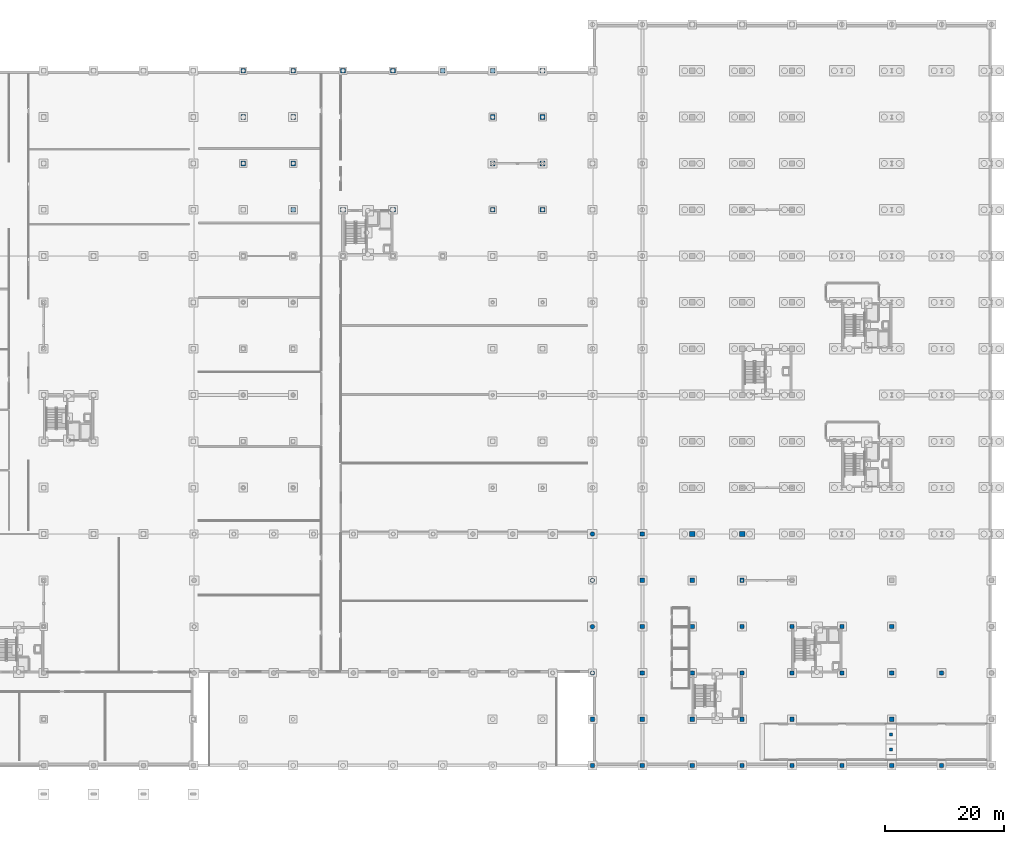
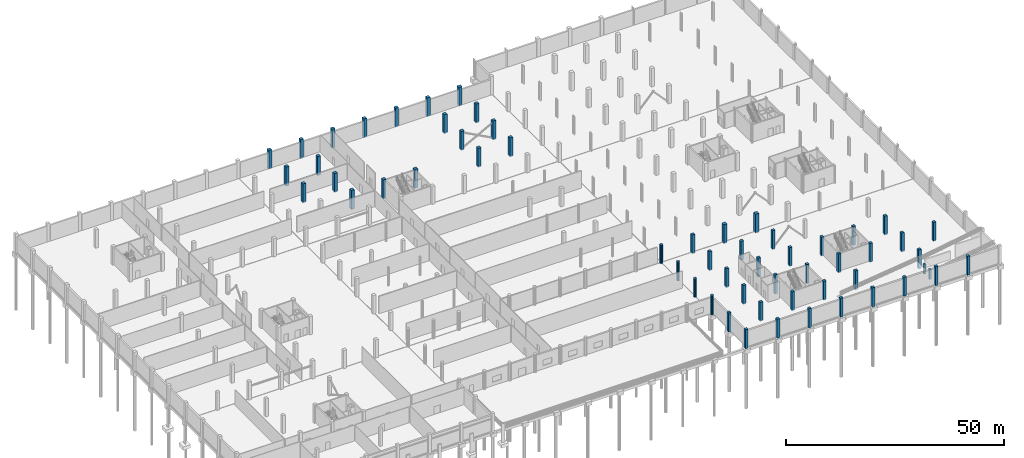
# One storey, part 15 of 48: 59 columns.
"""IFC4 building model written with IfcOpenShell, lengths in metres."""

import ifcopenshell
import ifcopenshell.guid

model = None  # the IFC model being written
_history = None  # IfcOwnerHistory: only IFC2X3 demands one
_inside = {}  # id of a spatial element -> (the spatial element, [elements in it])
_under = {}  # id of a project, library or spatial element -> (it, [spatial elements below it])
_declared = {}  # id of a project -> (the project, [libraries it declares])
_typed = {}  # id of a type object -> (the type object, [elements of that type])
_made_of = {}  # id of a material, layer set ... -> (it, [elements and type objects made of it])


def new_model(schema):
    """Start an empty IFC model of exactly this schema.

    Asked for "IFC4X3", IfcOpenShell would pick the latest addendum, in which some entities
    have other attributes; the version numbers below select the first issue.
    IFC2X3 requires an IfcOwnerHistory on every rooted entity: one is made here for all.
    """
    global model, _history
    if schema == "IFC4X3":
        model = ifcopenshell.file(schema_version=(4, 3, 0, 0))
    else:
        model = ifcopenshell.file(schema=schema)
    _inside.clear()
    _under.clear()
    _declared.clear()
    _typed.clear()
    _made_of.clear()
    _history = None
    if model.schema == "IFC2X3":
        org = make("IfcOrganization", Name="unknown")
        user = make(
            "IfcPersonAndOrganization",
            ThePerson=make("IfcPerson", FamilyName="unknown"),
            TheOrganization=org,
        )
        app = make(
            "IfcApplication",
            ApplicationDeveloper=org,
            Version="unknown",
            ApplicationFullName="unknown",
            ApplicationIdentifier="unknown",
        )
        _history = make(
            "IfcOwnerHistory",
            OwningUser=user,
            OwningApplication=app,
            ChangeAction="ADDED",
            CreationDate=0,
        )
    return model


def make(cls, **values):
    """One entity of the class cls with the attributes given. An attribute that is None is left unset."""
    return model.create_entity(
        cls, **{name: value for name, value in values.items() if value is not None}
    )


def rooted(cls, **values):
    """An entity with a GlobalId (a new one), such as an element, a storey or a relation."""
    return make(cls, GlobalId=ifcopenshell.guid.new(), OwnerHistory=_history, **values)


def si_unit(unit_type, name, prefix=None):
    """IfcSIUnit, for example si_unit("LENGTHUNIT", "METRE", prefix="MILLI")."""
    return make("IfcSIUnit", UnitType=unit_type, Prefix=prefix, Name=name)


def assignment(units):
    """IfcUnitAssignment: the units of a project."""
    return None if units is None else make("IfcUnitAssignment", Units=units)


def point(xyz):
    """IfcCartesianPoint."""
    return None if xyz is None else make("IfcCartesianPoint", Coordinates=xyz)


def direction(xyz):
    """IfcDirection."""
    return None if xyz is None else make("IfcDirection", DirectionRatios=xyz)


def frame(location, z_axis=None, x_axis=None):
    """IfcAxis2Placement3D, a coordinate frame: its origin and axes. An axis left out is left unset."""
    return make(
        "IfcAxis2Placement3D",
        Location=point(location),
        Axis=direction(z_axis),
        RefDirection=direction(x_axis),
    )


def frame_2d(location, x_axis=None):
    """IfcAxis2Placement2D, a coordinate frame in the plane: its origin and x axis."""
    return make(
        "IfcAxis2Placement2D", Location=point(location), RefDirection=direction(x_axis)
    )


def origin():
    """The frame at (0, 0, 0) with its axes left unset."""
    return frame((0.0, 0.0, 0.0))


def origin_2d():
    """The frame at (0, 0) in the plane with its x axis left unset."""
    return frame_2d((0.0, 0.0))


def place(relative_to, where):
    """IfcLocalPlacement: puts the frame where relative to a parent placement (None: the world)."""
    return make(
        "IfcLocalPlacement", PlacementRelTo=relative_to, RelativePlacement=where
    )


def context(
    kind, dimensions, precision=None, world=None, true_north=None, identifier=None
):
    """IfcGeometricRepresentationContext, for example the 3D "Model" context."""
    return make(
        "IfcGeometricRepresentationContext",
        ContextIdentifier=identifier,
        ContextType=kind,
        CoordinateSpaceDimension=dimensions,
        Precision=precision,
        WorldCoordinateSystem=world,
        TrueNorth=true_north,
    )


def subcontext(parent, identifier, kind, view, scale=None):
    """IfcGeometricRepresentationSubContext, for example "Body" below "Model"."""
    return make(
        "IfcGeometricRepresentationSubContext",
        ContextIdentifier=identifier,
        ContextType=kind,
        ParentContext=parent,
        TargetScale=scale,
        TargetView=view,
    )


def project(units=None, contexts=None):
    """IfcProject with its units and contexts."""
    return rooted(
        "IfcProject",
        Name="project",
        RepresentationContexts=contexts,
        UnitsInContext=assignment(units),
    )


def spatial(cls, under=None, at=None, **own):
    """A site, building, storey or space (cls), placed at a placement, below another one or the project."""
    s = rooted(cls, ObjectPlacement=at, **own)
    if under is not None:
        _under.setdefault(under.id(), (under, []))[1].append(s)
    return s


def profile(cls, at=None, kind="AREA", **sizes):
    """A parametric profile (cls). Its sizes go by their IFC names, for example OverallWidth=200.0."""
    return make(cls, ProfileType=kind, Position=at, **sizes)


def rectangle(**sizes):
    """IfcRectangleProfileDef."""
    return profile("IfcRectangleProfileDef", **sizes)


def circle(**sizes):
    """IfcCircleProfileDef."""
    return profile("IfcCircleProfileDef", **sizes)


def extrude(swept, where, along, depth):
    """IfcExtrudedAreaSolid: the profile swept, set in the frame where, extruded along a direction by depth."""
    return make(
        "IfcExtrudedAreaSolid",
        SweptArea=swept,
        Position=where,
        ExtrudedDirection=direction(along),
        Depth=depth,
    )


def shape(context_of_items, identifier, shape_type, items):
    """IfcShapeRepresentation: the items that make up one representation, for example the "Body"."""
    return make(
        "IfcShapeRepresentation",
        ContextOfItems=context_of_items,
        RepresentationIdentifier=identifier,
        RepresentationType=shape_type,
        Items=items,
    )


def material(Name=None, Category=None):
    """IfcMaterial."""
    return make("IfcMaterial", Name=Name, Category=Category)


def material_profile(
    of_material, cross_section, Name=None, Category=None, Priority=None
):
    """IfcMaterialProfile: a cross section and its material."""
    return make(
        "IfcMaterialProfile",
        Name=Name,
        Material=of_material,
        Profile=cross_section,
        Priority=Priority,
        Category=Category,
    )


def profile_set(profiles, Name=None, composite=None):
    """IfcMaterialProfileSet."""
    return make(
        "IfcMaterialProfileSet",
        Name=Name,
        MaterialProfiles=profiles,
        CompositeProfile=composite,
    )


def made_of(thing, what):
    """Note that an element or type object is made of a material, layer set ...; save() writes the relation."""
    if what is not None:
        _made_of.setdefault(what.id(), (what, []))[1].append(thing)
    return thing


def type_object(cls, material=None, **own):
    """A type object (cls), such as IfcWallType, which elements share."""
    return made_of(rooted(cls, **own), material)


def element(
    cls,
    number,
    at=None,
    inside=None,
    cuts=None,
    type_object=None,
    material=None,
    context=None,
    identifier="Body",
    shape_type=None,
    held_by="IfcProductDefinitionShape",
    body=None,
    shapes=None,
    **own,
):
    """One element of the class cls, such as IfcWall. Its Tag is "e" and its number.

    at: its placement. inside: the storey or other place that contains it. cuts: it is an
    opening in that element (IfcRelVoidsElement). A single representation is given by context,
    identifier, shape_type and body (its items); several are given by shapes. held_by: the class
    of the entity that holds the representations. save() writes the other relations.
    """
    e = rooted(cls, Tag="e%d" % number, ObjectPlacement=at, **own)
    if body is not None:
        shapes = [shape(context, identifier, shape_type, body)]
    if shapes is not None:
        e.Representation = make(held_by, Representations=shapes)
    if inside is not None:
        _inside.setdefault(inside.id(), (inside, []))[1].append(e)
    if cuts is not None:
        rooted(
            "IfcRelVoidsElement", RelatingBuildingElement=cuts, RelatedOpeningElement=e
        )
    if type_object is not None:
        _typed.setdefault(type_object.id(), (type_object, []))[1].append(e)
    return made_of(e, material)


def aggregate(whole, parts):
    """IfcRelAggregates: a whole, such as a stair, and the parts it consists of."""
    return rooted("IfcRelAggregates", RelatingObject=whole, RelatedObjects=parts)


def save(model, path):
    """Write the relations noted so far, then the file.

    IfcRelAggregates (storeys below a building ...), IfcRelContainedInSpatialStructure (elements
    in a storey), IfcRelDefinesByType, IfcRelAssociatesMaterial and IfcRelDeclares: one each for
    every whole, place, type object, material and project.
    """
    for whole, parts in _under.values():
        aggregate(whole, parts)
    for where, things in _inside.values():
        rooted(
            "IfcRelContainedInSpatialStructure",
            RelatedElements=things,
            RelatingStructure=where,
        )
    for kind, things in _typed.values():
        rooted("IfcRelDefinesByType", RelatedObjects=things, RelatingType=kind)
    for what, things in _made_of.values():
        rooted("IfcRelAssociatesMaterial", RelatedObjects=things, RelatingMaterial=what)
    for by, libraries in _declared.values():
        rooted("IfcRelDeclares", RelatingContext=by, RelatedDefinitions=libraries)
    model.write(path)


model = new_model("IFC4")

# Units and contexts
model_context = context("Model", 3, precision=1e-05, world=origin(), true_north=direction((0.0, 1.0)))
body_context = subcontext(model_context, "Body", "Model", "MODEL_VIEW")
ifc_project = project(units=[si_unit("LENGTHUNIT", "METRE"), si_unit("AREAUNIT", "SQUARE_METRE"), si_unit("VOLUMEUNIT", "CUBIC_METRE"), si_unit("PLANEANGLEUNIT", "RADIAN"), si_unit("MASSUNIT", "GRAM", prefix="KILO")], contexts=[model_context])

# Site, building, storey
site_placement = place(None, origin())
site = spatial("IfcSite", under=ifc_project, at=site_placement, CompositionType="ELEMENT")
building_placement = place(site_placement, origin())
building = spatial("IfcBuilding", under=site, at=building_placement, Name="Nabrawat Pavilion Hospital", CompositionType="ELEMENT")
storey_placement = place(building_placement, frame((0.0, 0.0, -5.10009765625)))
storey = spatial("IfcBuildingStorey", under=building, at=storey_placement, Name="B1", CompositionType="ELEMENT", Elevation=-5.10009765625)

# Columns
ifc_material = material(Name="Concrete C40/50", Category="concrete")
ifc_material_profile_1 = material_profile(ifc_material, rectangle(XDim=0.89990234375, YDim=0.89990234375, at=origin_2d()), Name="RC 900x900")
ifc_profile_set_1 = profile_set([ifc_material_profile_1], Name="Concrete C40/50")
column_type_1 = type_object("IfcColumnType", Name="Lower Ward RC Column 900x900", PredefinedType="COLUMN", material=ifc_profile_set_1)
for number, where, z_axis, x_axis, name in (
    (1, (142.800048828125, 39.0, -0.219970703125), (0.0, 0.0, 1.0), (1.0, 0.0, 0.0), "B1 Structural Column G-18-F1"),
    (2, (151.199951171875, 39.0, -0.219970703125), (0.0, 0.0, 1.0), (1.0, 0.0, 0.0), "B1 Structural Column G-19-F1"),
):
    element("IfcColumn", number, at=place(storey_placement, frame(where, z_axis=z_axis, x_axis=x_axis)), inside=storey, type_object=column_type_1, Name=name, PredefinedType="COLUMN", context=body_context, shape_type="SweptSolid", body=[
        extrude(rectangle(XDim=0.89990234375, YDim=0.89990234375, at=origin_2d()), origin(), (0.0, 0.0, 1.0), 5.320068359375),
    ])
ifc_material_profile_2 = material_profile(ifc_material, rectangle(XDim=0.699951171875, YDim=0.699951171875, at=origin_2d()), Name="RC 700x700")
ifc_profile_set_2 = profile_set([ifc_material_profile_2], Name="Concrete C40/50")
column_type_2 = type_object("IfcColumnType", Name="Mid-Tier Ward RC Column 700x700", PredefinedType="COLUMN", material=ifc_profile_set_2)
for number, where, z_axis, x_axis, name in (
    (3, (126.0, 0.0, -0.219970703125), (0.0, 0.0, 1.0), (1.0, 0.0, 0.0), "B1 Structural Column G-16A-A"),
    (4, (126.0, 7.800048828125, -0.219970703125), (0.0, 0.0, 1.0), (1.0, 0.0, 0.0), "B1 Structural Column G-16A-B"),
    (5, (134.39990234375, 0.0, -0.219970703125), (0.0, 0.0, 1.0), (1.0, 0.0, 0.0), "B1 Structural Column G-17-A"),
    (6, (134.39990234375, 7.800048828125, -0.219970703125), (0.0, 0.0, 1.0), (1.0, 0.0, 0.0), "B1 Structural Column G-17-B"),
    (7, (134.39990234375, 15.60009765625, -0.219970703125), (0.0, 0.0, 1.0), (1.0, 0.0, 0.0), "B1 Structural Column G-17-C"),
    (8, (134.39990234375, 23.39990234375, -0.219970703125), (0.0, 0.0, 1.0), (1.0, 0.0, 0.0), "B1 Structural Column G-17-D"),
    (9, (134.39990234375, 31.199951171875, -0.219970703125), (0.0, 0.0, 1.0), (1.0, 0.0, 0.0), "B1 Structural Column G-17-E"),
    (10, (134.39990234375, 39.0, -0.219970703125), (0.0, 0.0, 1.0), (1.0, 0.0, 0.0), "B1 Structural Column G-17-F1"),
    (11, (142.800048828125, 0.0, -0.219970703125), (0.0, 0.0, 1.0), (1.0, 0.0, 0.0), "B1 Structural Column G-18-A"),
    (12, (142.800048828125, 7.800048828125, -0.219970703125), (0.0, 0.0, 1.0), (1.0, 0.0, 0.0), "B1 Structural Column G-18-B"),
    (13, (142.800048828125, 15.60009765625, -0.219970703125), (0.0, 0.0, 1.0), (1.0, 0.0, 0.0), "B1 Structural Column G-18-C"),
    (14, (142.800048828125, 23.39990234375, -0.219970703125), (0.0, 0.0, 1.0), (1.0, 0.0, 0.0), "B1 Structural Column G-18-D"),
    (15, (142.800048828125, 31.199951171875, -0.219970703125), (0.0, 0.0, 1.0), (1.0, 0.0, 0.0), "B1 Structural Column G-18-E"),
    (16, (151.199951171875, 0.0, -0.219970703125), (0.0, 0.0, 1.0), (1.0, 0.0, 0.0), "B1 Structural Column G-19-A"),
    (17, (151.199951171875, 7.800048828125, -0.219970703125), (0.0, 0.0, 1.0), (1.0, 0.0, 0.0), "B1 Structural Column G-19-B"),
    (18, (151.199951171875, 15.60009765625, -0.219970703125), (0.0, 0.0, 1.0), (1.0, 0.0, 0.0), "B1 Structural Column G-19-C"),
    (19, (151.199951171875, 23.39990234375, -0.219970703125), (0.0, 0.0, 1.0), (1.0, 0.0, 0.0), "B1 Structural Column G-19-D"),
    (20, (151.199951171875, 31.199951171875, -0.219970703125), (0.0, 0.0, 1.0), (1.0, 0.0, 0.0), "B1 Structural Column G-19-E"),
    (21, (159.60009765625, 0.0, -0.219970703125), (0.0, 0.0, 1.0), (1.0, 0.0, 0.0), "B1 Structural Column G-20-A"),
    (22, (159.60009765625, 7.800048828125, -0.219970703125), (0.0, 0.0, 1.0), (1.0, 0.0, 0.0), "B1 Structural Column G-20-B"),
    (23, (159.60009765625, 15.60009765625, -0.219970703125), (0.0, 0.0, 1.0), (1.0, 0.0, 0.0), "B1 Structural Column G-20-C"),
    (24, (159.60009765625, 23.39990234375, -0.219970703125), (0.0, 0.0, 1.0), (1.0, 0.0, 0.0), "B1 Structural Column G-20-D"),
    (25, (168.0, 0.0, -0.219970703125), (0.0, 0.0, 1.0), (1.0, 0.0, 0.0), "B1 Structural Column G-21-A"),
    (26, (168.0, 15.60009765625, -0.219970703125), (0.0, 0.0, 1.0), (1.0, 0.0, 0.0), "B1 Structural Column G-21-C"),
    (27, (168.0, 23.39990234375, -0.219970703125), (0.0, 0.0, 1.0), (1.0, 0.0, 0.0), "B1 Structural Column G-21-D"),
    (28, (176.39990234375, 0.0, -0.219970703125), (0.0, 0.0, 1.0), (1.0, 0.0, 0.0), "B1 Structural Column G-22-A"),
    (29, (176.39990234375, 7.800048828125, -0.219970703125), (0.0, 0.0, 1.0), (1.0, 0.0, 0.0), "B1 Structural Column G-22-B"),
    (30, (176.39990234375, 15.60009765625, -0.219970703125), (0.0, 0.0, 1.0), (1.0, 0.0, 0.0), "B1 Structural Column G-22-C"),
    (31, (176.39990234375, 23.39990234375, -0.219970703125), (0.0, 0.0, 1.0), (1.0, 0.0, 0.0), "B1 Structural Column G-22-D"),
    (32, (184.800048828125, 0.0, -0.219970703125), (0.0, 0.0, 1.0), (1.0, 0.0, 0.0), "B1 Structural Column G-23-A"),
    (33, (184.800048828125, 15.60009765625, -0.219970703125), (0.0, 0.0, 1.0), (1.0, 0.0, 0.0), "B1 Structural Column G-23-C"),
):
    element("IfcColumn", number, at=place(storey_placement, frame(where, z_axis=z_axis, x_axis=x_axis)), inside=storey, type_object=column_type_2, Name=name, PredefinedType="COLUMN", context=body_context, shape_type="SweptSolid", body=[
        extrude(rectangle(XDim=0.699951171875, YDim=0.699951171875, at=origin_2d()), origin(), (0.0, 0.0, 1.0), 5.320068359375),
    ])
ifc_material_profile_3 = material_profile(ifc_material, circle(Radius=0.375, at=origin_2d()), Name="RC D750")
ifc_profile_set_3 = profile_set([ifc_material_profile_3], Name="Concrete C40/50")
column_type_3 = type_object("IfcColumnType", Name="Pavilion Base Composite Column D750", PredefinedType="COLUMN", material=ifc_profile_set_3)
for number, where, z_axis, x_axis, name in (
    (34, (126.0, 23.39990234375, -0.219970703125), (0.0, 0.0, 1.0), (1.0, 0.0, 0.0), "B1 Expressed Pavilion Column MH-E01"),
    (35, (126.0, 31.199951171875, -0.219970703125), (0.0, 0.0, 1.0), (1.0, 0.0, 0.0), "B1 Expressed Pavilion Column MH-E02"),
    (36, (126.0, 39.0, -0.219970703125), (0.0, 0.0, 1.0), (1.0, 0.0, 0.0), "B1 Expressed Pavilion Column MH-N10"),
    (37, (126.0, 15.60009765625, -0.219970703125), (0.0, 0.0, 1.0), (1.0, 0.0, 0.0), "B1 Expressed Pavilion Column MH-S10"),
):
    element("IfcColumn", number, at=place(storey_placement, frame(where, z_axis=z_axis, x_axis=x_axis)), inside=storey, type_object=column_type_3, Name=name, PredefinedType="COLUMN", context=body_context, shape_type="SweptSolid", body=[
        extrude(circle(Radius=0.375, at=origin_2d()), origin(), (0.0, 0.0, 1.0), 5.320068359375),
    ])
ifc_material_profile_4 = material_profile(ifc_material, rectangle(XDim=0.5, YDim=0.5, at=origin_2d()), Name="RC 500x500")
ifc_profile_set_4 = profile_set([ifc_material_profile_4], Name="Concrete C40/50")
column_type_4 = type_object("IfcColumnType", Name="Pavilion Upper RC Column 500x500", PredefinedType="COLUMN", material=ifc_profile_set_4)
for number, where, z_axis, x_axis, name in (
    (38, (176.300048828125, 2.75, -0.219970703125), (0.0, 0.0, 1.0), (1.0, 0.0, 0.0), "B1 Vehicle Ramp Landing Support Pier 01"),
    (39, (176.300048828125, 5.25, -0.219970703125), (0.0, 0.0, 1.0), (1.0, 0.0, 0.0), "B1 Vehicle Ramp Landing Support Pier 02"),
):
    element("IfcColumn", number, at=place(storey_placement, frame(where, z_axis=z_axis, x_axis=x_axis)), inside=storey, type_object=column_type_4, Name=name, PredefinedType="COLUMN", context=body_context, shape_type="SweptSolid", body=[
        extrude(rectangle(XDim=0.5, YDim=0.5, at=origin_2d()), origin(), (0.0, 0.0, 1.0), 2.77001953125),
    ])
ifc_material_profile_5 = material_profile(ifc_material, rectangle(XDim=0.800048828125, YDim=0.800048828125, at=origin_2d()), Name="RC 800x800")
ifc_profile_set_5 = profile_set([ifc_material_profile_5], Name="Concrete C40/50")
column_type_5 = type_object("IfcColumnType", Name="Podium Primary RC Column 800x800", PredefinedType="COLUMN", material=ifc_profile_set_5)
for number, where, z_axis, x_axis, name in (
    (40, (75.60009765625, 93.60009765625, -0.219970703125), (0.0, 0.0, 1.0), (1.0, 0.0, 0.0), "B1 Structural Column G-10-N"),
    (41, (75.60009765625, 101.39990234375, -0.219970703125), (0.0, 0.0, 1.0), (1.0, 0.0, 0.0), "B1 Structural Column G-10-P"),
    (42, (75.60009765625, 109.199951171875, -0.219970703125), (0.0, 0.0, 1.0), (1.0, 0.0, 0.0), "B1 Structural Column G-10-Q"),
    (43, (75.60009765625, 117.0, -0.219970703125), (0.0, 0.0, 1.0), (1.0, 0.0, 0.0), "B1 Structural Column G-10-R"),
    (44, (84.0, 93.60009765625, -0.219970703125), (0.0, 0.0, 1.0), (1.0, 0.0, 0.0), "B1 Structural Column G-11-N"),
    (45, (84.0, 117.0, -0.219970703125), (0.0, 0.0, 1.0), (1.0, 0.0, 0.0), "B1 Structural Column G-11-R"),
    (46, (92.39990234375, 93.60009765625, -0.219970703125), (0.0, 0.0, 1.0), (1.0, 0.0, 0.0), "B1 Structural Column G-12-N"),
    (47, (92.39990234375, 117.0, -0.219970703125), (0.0, 0.0, 1.0), (1.0, 0.0, 0.0), "B1 Structural Column G-12-R"),
    (48, (100.800048828125, 117.0, -0.219970703125), (0.0, 0.0, 1.0), (1.0, 0.0, 0.0), "B1 Structural Column G-13-R"),
    (49, (109.199951171875, 93.60009765625, -0.219970703125), (0.0, 0.0, 1.0), (1.0, 0.0, 0.0), "B1 Structural Column G-14-N"),
    (50, (109.199951171875, 101.39990234375, -0.219970703125), (0.0, 0.0, 1.0), (1.0, 0.0, 0.0), "B1 Structural Column G-14-P"),
    (51, (109.199951171875, 109.199951171875, -0.219970703125), (0.0, 0.0, 1.0), (1.0, 0.0, 0.0), "B1 Structural Column G-14-Q"),
    (52, (109.199951171875, 117.0, -0.219970703125), (0.0, 0.0, 1.0), (1.0, 0.0, 0.0), "B1 Structural Column G-14-R"),
    (53, (117.60009765625, 93.60009765625, -0.219970703125), (0.0, 0.0, 1.0), (1.0, 0.0, 0.0), "B1 Structural Column G-15-N"),
    (54, (117.60009765625, 101.39990234375, -0.219970703125), (0.0, 0.0, 1.0), (1.0, 0.0, 0.0), "B1 Structural Column G-15-P"),
    (55, (117.60009765625, 109.199951171875, -0.219970703125), (0.0, 0.0, 1.0), (1.0, 0.0, 0.0), "B1 Structural Column G-15-Q"),
    (56, (117.60009765625, 117.0, -0.219970703125), (0.0, 0.0, 1.0), (1.0, 0.0, 0.0), "B1 Structural Column G-15-R"),
    (57, (67.199951171875, 101.39990234375, -0.219970703125), (0.0, 0.0, 1.0), (1.0, 0.0, 0.0), "B1 Structural Column G-9-P"),
    (58, (67.199951171875, 109.199951171875, -0.219970703125), (0.0, 0.0, 1.0), (1.0, 0.0, 0.0), "B1 Structural Column G-9-Q"),
    (59, (67.199951171875, 117.0, -0.219970703125), (0.0, 0.0, 1.0), (1.0, 0.0, 0.0), "B1 Structural Column G-9-R"),
):
    element("IfcColumn", number, at=place(storey_placement, frame(where, z_axis=z_axis, x_axis=x_axis)), inside=storey, type_object=column_type_5, Name=name, PredefinedType="COLUMN", context=body_context, shape_type="SweptSolid", body=[
        extrude(rectangle(XDim=0.800048828125, YDim=0.800048828125, at=origin_2d()), origin(), (0.0, 0.0, 1.0), 5.320068359375),
    ])

save(model, "model.ifc")
